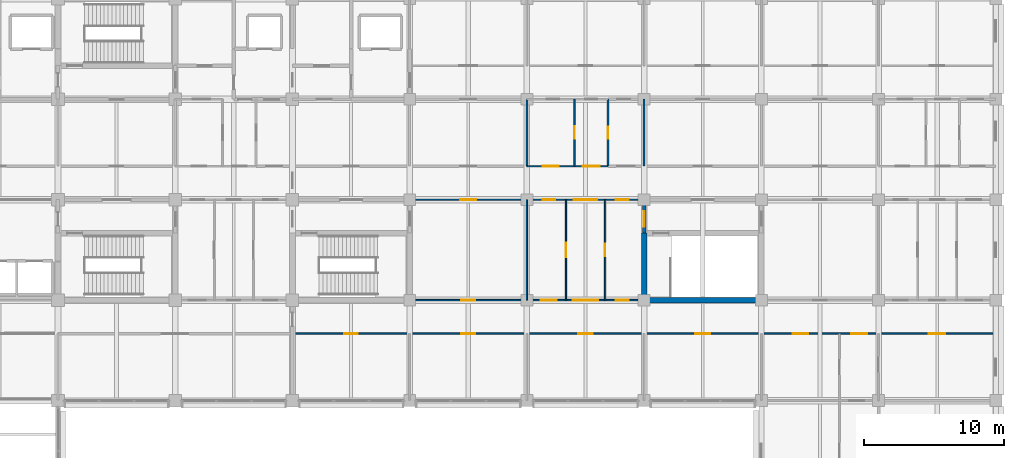
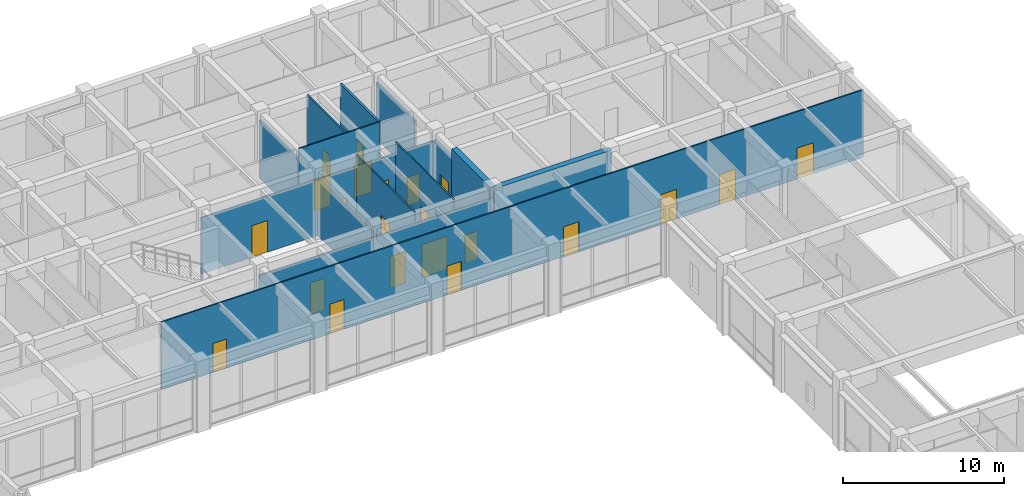
# One storey, part 47 of 58: 22 doors, 14 walls, 22 openings.
"""IFC4 building model written with IfcOpenShell, lengths in metres."""

from ifc_helpers import new_model, si_unit, direction, frame, frame_2d, origin, place, context, subcontext, project, spatial, rectangle, extrude, material, layer, layer_set, type_object, element, fill, save


model = new_model("IFC4")

# Units and contexts
model_context = context("Model", 3, precision=1e-05, world=origin(), true_north=direction((0.0, 1.0)))
body_context = subcontext(model_context, "Body", "Model", "MODEL_VIEW")
ifc_project = project(units=[si_unit("LENGTHUNIT", "METRE"), si_unit("AREAUNIT", "SQUARE_METRE"), si_unit("VOLUMEUNIT", "CUBIC_METRE"), si_unit("PLANEANGLEUNIT", "RADIAN"), si_unit("MASSUNIT", "GRAM", prefix="KILO")], contexts=[model_context])

# Site, building, storey
site_placement = place(None, origin())
site = spatial("IfcSite", under=ifc_project, at=site_placement, CompositionType="ELEMENT")
building_placement = place(site_placement, origin())
building = spatial("IfcBuilding", under=site, at=building_placement, Name="Chengyuan Square Courthouse", CompositionType="ELEMENT")
storey_placement = place(building_placement, frame((0.0, 0.0, 16.199951171875)))
storey = spatial("IfcBuildingStorey", under=building, at=storey_placement, Name="L04", CompositionType="ELEMENT", Elevation=16.199951171875)

# Wall, opening, door
ifc_material_1 = material(Name="Concrete C40", Category="concrete")
ifc_layer_1 = layer(ifc_material_1, 0.25)
ifc_layer_set_1 = layer_set([ifc_layer_1], Name="Concrete C40")
wall_type_1 = type_object("IfcWallType", Name="WL-FW1", PredefinedType="STANDARD", material=ifc_layer_set_1)
wall_1_placement = place(storey_placement, frame((142.800048828125, 91.199951171875, 0.0), z_axis=(0.0, 0.0, 1.0), x_axis=(0.0, 1.0, 0.0)))
wall_1 = element("IfcWall", 1, at=wall_1_placement, inside=storey, type_object=wall_type_1, Name="Interior Wall WL-L04-I2077", PredefinedType="STANDARD", context=body_context, shape_type="SweptSolid", body=[
    extrude(rectangle(XDim=2.400146484375, YDim=0.25, at=frame_2d((1.2001953125, 0.0))), origin(), (0.0, 0.0, 1.0), 4.300048828125),
])
opening_1_placement = place(wall_1_placement, frame((0.4775390625, 0.0, 0.0)))
opening_1 = element("IfcOpeningElement", 2, at=opening_1_placement, cuts=wall_1, Name="Opening DR-1661", PredefinedType="OPENING", context=body_context, shape_type="SweptSolid", body=[
    extrude(rectangle(XDim=1.10009765625, YDim=2.199951171875, at=frame_2d((0.550048828125, 1.10009765625))), frame((0.0, 0.136962890625, 0.0), z_axis=(0.0, -1.0, 0.0), x_axis=(1.0, 0.0, 0.0)), (0.0, 0.0, 1.0), 0.27392578125),
])
ifc_material_2 = material(Name="Steel Q235B Fire Door", Category="steel")
door_type_1 = type_object("IfcDoorType", Name="DT-10", OperationType="NOTDEFINED", PredefinedType="DOOR", material=ifc_material_2)
door_1_placement = place(opening_1_placement, origin())
door_1 = element("IfcDoor", 3, at=door_1_placement, inside=storey, type_object=door_type_1, Name="Interior Door DR-1661", OperationType="SINGLE_SWING_LEFT", OverallHeight=2.199951171875, OverallWidth=1.10009765625, PredefinedType="DOOR", context=body_context, shape_type="SweptSolid", body=[
    extrude(rectangle(XDim=1.10009765625, YDim=2.199951171875, at=frame_2d((0.550048828125, 1.10009765625))), frame((0.0, 0.02490234375, 0.0), z_axis=(0.0, -1.0, 0.0), x_axis=(1.0, 0.0, 0.0)), (0.0, 0.0, 1.0), 0.050048828125),
])
fill(opening_1, door_1)

# Wall
ifc_material_3 = material(Name="Deliberation Room Sound-Insulated Partition")
ifc_layer_2 = layer(ifc_material_3, 0.14990234375)
ifc_layer_set_2 = layer_set([ifc_layer_2], Name="Deliberation Room Sound-Insulated Partition")
wall_type_2 = type_object("IfcWallType", Name="WL-PT3", PredefinedType="STANDARD", material=ifc_layer_set_2)
wall_2_placement = place(storey_placement, frame((134.39990234375, 96.0, 0.0), z_axis=(0.0, 0.0, 1.0), x_axis=(0.0, 1.0, 0.0)))
element("IfcWall", 4, at=wall_2_placement, inside=storey, type_object=wall_type_2, Name="Interior Wall WL-L04-I2069", PredefinedType="STANDARD", context=body_context, shape_type="SweptSolid", body=[
    extrude(rectangle(XDim=4.800048828125, YDim=0.14990234375, at=frame_2d((2.39990234375, 0.0))), origin(), (0.0, 0.0, 1.0), 4.3701171875),
])

# Wall, opening, door
wall_3_placement = place(storey_placement, frame((140.199951171875, 96.0, 0.0), z_axis=(0.0, 0.0, 1.0), x_axis=(0.0, 1.0, 0.0)))
wall_3 = element("IfcWall", 5, at=wall_3_placement, inside=storey, type_object=wall_type_2, Name="Interior Wall WL-L04-I2074", PredefinedType="STANDARD", context=body_context, shape_type="SweptSolid", body=[
    extrude(rectangle(XDim=4.800048828125, YDim=0.14990234375, at=frame_2d((2.39990234375, 0.0))), origin(), (0.0, 0.0, 1.0), 5.1201171875),
])
opening_2_placement = place(wall_3_placement, frame((1.969970703125, 0.0, 0.0)))
opening_2 = element("IfcOpeningElement", 6, at=opening_2_placement, cuts=wall_3, Name="Opening DR-1816", PredefinedType="OPENING", context=body_context, shape_type="SweptSolid", body=[
    extrude(rectangle(XDim=0.860107421875, YDim=2.10009765625, at=frame_2d((0.43017578125, 1.050048828125))), frame((0.0, 0.0869140625, 0.0), z_axis=(0.0, -1.0, 0.0), x_axis=(1.0, 0.0, 0.0)), (0.0, 0.0, 1.0), 0.173828125),
])
ifc_material_4 = material(Name="Acoustic Solid-Core Timber Door", Category="wood")
door_type_2 = type_object("IfcDoorType", Name="DT-28", OperationType="NOTDEFINED", PredefinedType="DOOR", material=ifc_material_4)
door_2_placement = place(opening_2_placement, origin())
door_2 = element("IfcDoor", 7, at=door_2_placement, inside=storey, type_object=door_type_2, Name="Interior Door DR-1816", OperationType="SINGLE_SWING_LEFT", OverallHeight=2.10009765625, OverallWidth=0.860107421875, PredefinedType="DOOR", context=body_context, shape_type="SweptSolid", body=[
    extrude(rectangle(XDim=0.860107421875, YDim=2.10009765625, at=frame_2d((0.43017578125, 1.050048828125))), frame((0.0, 0.02490234375, 0.0), z_axis=(0.0, -1.0, 0.0), x_axis=(1.0, 0.0, 0.0)), (0.0, 0.0, 1.0), 0.050048828125),
])
fill(opening_2, door_2)

# Wall
wall_4_placement = place(storey_placement, frame((142.800048828125, 96.0, 0.0), z_axis=(0.0, 0.0, 1.0), x_axis=(0.0, 1.0, 0.0)))
element("IfcWall", 8, at=wall_4_placement, inside=storey, type_object=wall_type_2, Name="Interior Wall WL-L04-I2078", PredefinedType="STANDARD", context=body_context, shape_type="SweptSolid", body=[
    extrude(rectangle(XDim=4.800048828125, YDim=0.14990234375, at=frame_2d((2.39990234375, 0.0))), origin(), (0.0, 0.0, 1.0), 4.300048828125),
])

# Wall, openings, doors
ifc_material_5 = material(Name="Gypsum Plasterboard Acoustic Stud Partition")
ifc_layer_3 = layer(ifc_material_5, 0.10009765625)
ifc_layer_set_3 = layer_set([ifc_layer_3], Name="Gypsum Plasterboard Acoustic Stud Partition")
wall_type_3 = type_object("IfcWallType", Name="WL-PT6", PredefinedType="STANDARD", material=ifc_layer_set_3)
wall_5_placement = place(storey_placement, frame((117.60009765625, 84.0, 0.0), z_axis=(0.0, 0.0, 1.0), x_axis=(1.0, 0.0, 0.0)))
wall_5 = element("IfcWall", 9, at=wall_5_placement, inside=storey, type_object=wall_type_3, Name="Interior Wall WL-L04-I1777", PredefinedType="STANDARD", context=body_context, shape_type="SweptSolid", body=[
    extrude(rectangle(XDim=50.35986328125, YDim=0.10009765625, at=frame_2d((25.179931640625, 0.0))), origin(), (0.0, 0.0, 1.0), 5.1201171875),
])
opening_3_placement = place(wall_5_placement, frame((3.719970703125, 0.0, 0.0)))
opening_3 = element("IfcOpeningElement", 10, at=opening_3_placement, cuts=wall_5, Name="Opening DR-1886", PredefinedType="OPENING", context=body_context, shape_type="SweptSolid", body=[
    extrude(rectangle(XDim=0.9599609375, YDim=2.199951171875, at=frame_2d((0.47998046875, 1.10009765625))), frame((0.0, 0.06201171875, 0.0), z_axis=(0.0, -1.0, 0.0), x_axis=(1.0, 0.0, 0.0)), (0.0, 0.0, 1.0), 0.1240234375),
])
opening_4_placement = place(wall_5_placement, frame((12.10009765625, 0.0, 0.0)))
opening_4 = element("IfcOpeningElement", 11, at=opening_4_placement, cuts=wall_5, Name="Opening DR-1887", PredefinedType="OPENING", context=body_context, shape_type="SweptSolid", body=[
    extrude(rectangle(XDim=1.0, YDim=2.25, at=frame_2d((0.5, 1.125))), frame((0.0, 0.06201171875, 0.0), z_axis=(0.0, -1.0, 0.0), x_axis=(1.0, 0.0, 0.0)), (0.0, 0.0, 1.0), 0.1240234375),
])
opening_5_placement = place(wall_5_placement, frame((20.47998046875, 0.0, 0.0)))
opening_5 = element("IfcOpeningElement", 12, at=opening_5_placement, cuts=wall_5, Name="Opening DR-1888", PredefinedType="OPENING", context=body_context, shape_type="SweptSolid", body=[
    extrude(rectangle(XDim=1.0400390625, YDim=2.199951171875, at=frame_2d((0.52001953125, 1.10009765625))), frame((0.0, 0.06201171875, 0.0), z_axis=(0.0, -1.0, 0.0), x_axis=(1.0, 0.0, 0.0)), (0.0, 0.0, 1.0), 0.1240234375),
])
opening_6_placement = place(wall_5_placement, frame((28.860107421875, 0.0, 0.0)))
opening_6 = element("IfcOpeningElement", 13, at=opening_6_placement, cuts=wall_5, Name="Opening DR-1889", PredefinedType="OPENING", context=body_context, shape_type="SweptSolid", body=[
    extrude(rectangle(XDim=1.080078125, YDim=2.25, at=frame_2d((0.5400390625, 1.125))), frame((0.0, 0.06201171875, 0.0), z_axis=(0.0, -1.0, 0.0), x_axis=(1.0, 0.0, 0.0)), (0.0, 0.0, 1.0), 0.1240234375),
])
opening_7_placement = place(wall_5_placement, frame((35.840087890625, 0.0, 0.0)))
opening_7 = element("IfcOpeningElement", 14, at=opening_7_placement, cuts=wall_5, Name="Opening DR-1890", PredefinedType="OPENING", context=body_context, shape_type="SweptSolid", body=[
    extrude(rectangle(XDim=1.1201171875, YDim=2.25, at=frame_2d((0.56005859375, 1.125))), frame((0.0, 0.06201171875, 0.0), z_axis=(0.0, -1.0, 0.0), x_axis=(1.0, 0.0, 0.0)), (0.0, 0.0, 1.0), 0.1240234375),
])
opening_8_placement = place(wall_5_placement, frame((40.02001953125, 0.0, 0.0)))
opening_8 = element("IfcOpeningElement", 15, at=opening_8_placement, cuts=wall_5, Name="Opening DR-1891", PredefinedType="OPENING", context=body_context, shape_type="SweptSolid", body=[
    extrude(rectangle(XDim=1.159912109375, YDim=2.300048828125, at=frame_2d((0.580078125, 1.14990234375))), frame((0.0, 0.06201171875, 0.0), z_axis=(0.0, -1.0, 0.0), x_axis=(1.0, 0.0, 0.0)), (0.0, 0.0, 1.0), 0.1240234375),
])
opening_9_placement = place(wall_5_placement, frame((45.580078125, 0.0, 0.0)))
opening_9 = element("IfcOpeningElement", 16, at=opening_9_placement, cuts=wall_5, Name="Opening DR-1892", PredefinedType="OPENING", context=body_context, shape_type="SweptSolid", body=[
    extrude(rectangle(XDim=1.199951171875, YDim=2.35009765625, at=frame_2d((0.60009765625, 1.175048828125))), frame((0.0, 0.06201171875, 0.0), z_axis=(0.0, -1.0, 0.0), x_axis=(1.0, 0.0, 0.0)), (0.0, 0.0, 1.0), 0.1240234375),
])
door_type_3 = type_object("IfcDoorType", Name="DT-30", OperationType="NOTDEFINED", PredefinedType="DOOR", material=ifc_material_4)
door_3_placement = place(opening_3_placement, origin())
door_3 = element("IfcDoor", 17, at=door_3_placement, inside=storey, type_object=door_type_3, Name="Interior Door DR-1886", OperationType="SINGLE_SWING_LEFT", OverallHeight=2.199951171875, OverallWidth=0.9599609375, PredefinedType="DOOR", context=body_context, shape_type="SweptSolid", body=[
    extrude(rectangle(XDim=0.9599609375, YDim=2.199951171875, at=frame_2d((0.47998046875, 1.10009765625))), frame((0.0, 0.02490234375, 0.0), z_axis=(0.0, -1.0, 0.0), x_axis=(1.0, 0.0, 0.0)), (0.0, 0.0, 1.0), 0.050048828125),
])
fill(opening_3, door_3)
door_type_4 = type_object("IfcDoorType", Name="DT-31", OperationType="NOTDEFINED", PredefinedType="DOOR", material=ifc_material_4)
door_4_placement = place(opening_4_placement, origin())
door_4 = element("IfcDoor", 18, at=door_4_placement, inside=storey, type_object=door_type_4, Name="Interior Door DR-1887", OperationType="SINGLE_SWING_RIGHT", OverallHeight=2.25, OverallWidth=1.0, PredefinedType="DOOR", context=body_context, shape_type="SweptSolid", body=[
    extrude(rectangle(XDim=1.0, YDim=2.25, at=frame_2d((0.5, 1.125))), frame((0.0, 0.02490234375, 0.0), z_axis=(0.0, -1.0, 0.0), x_axis=(1.0, 0.0, 0.0)), (0.0, 0.0, 1.0), 0.050048828125),
])
fill(opening_4, door_4)
door_type_5 = type_object("IfcDoorType", Name="DT-32", OperationType="NOTDEFINED", PredefinedType="DOOR", material=ifc_material_4)
door_5_placement = place(opening_5_placement, origin())
door_5 = element("IfcDoor", 19, at=door_5_placement, inside=storey, type_object=door_type_5, Name="Interior Door DR-1888", OperationType="SINGLE_SWING_LEFT", OverallHeight=2.199951171875, OverallWidth=1.0400390625, PredefinedType="DOOR", context=body_context, shape_type="SweptSolid", body=[
    extrude(rectangle(XDim=1.0400390625, YDim=2.199951171875, at=frame_2d((0.52001953125, 1.10009765625))), frame((0.0, 0.02490234375, 0.0), z_axis=(0.0, -1.0, 0.0), x_axis=(1.0, 0.0, 0.0)), (0.0, 0.0, 1.0), 0.050048828125),
])
fill(opening_5, door_5)
door_type_6 = type_object("IfcDoorType", Name="DT-33", OperationType="NOTDEFINED", PredefinedType="DOOR", material=ifc_material_4)
door_6_placement = place(opening_6_placement, origin())
door_6 = element("IfcDoor", 20, at=door_6_placement, inside=storey, type_object=door_type_6, Name="Interior Door DR-1889", OperationType="SINGLE_SWING_RIGHT", OverallHeight=2.25, OverallWidth=1.080078125, PredefinedType="DOOR", context=body_context, shape_type="SweptSolid", body=[
    extrude(rectangle(XDim=1.080078125, YDim=2.25, at=frame_2d((0.5400390625, 1.125))), frame((0.0, 0.02490234375, 0.0), z_axis=(0.0, -1.0, 0.0), x_axis=(1.0, 0.0, 0.0)), (0.0, 0.0, 1.0), 0.050048828125),
])
fill(opening_6, door_6)
door_type_7 = type_object("IfcDoorType", Name="DT-34", OperationType="NOTDEFINED", PredefinedType="DOOR", material=ifc_material_4)
door_7_placement = place(opening_7_placement, origin())
door_7 = element("IfcDoor", 21, at=door_7_placement, inside=storey, type_object=door_type_7, Name="Interior Door DR-1890", OperationType="SINGLE_SWING_LEFT", OverallHeight=2.25, OverallWidth=1.1201171875, PredefinedType="DOOR", context=body_context, shape_type="SweptSolid", body=[
    extrude(rectangle(XDim=1.1201171875, YDim=2.25, at=frame_2d((0.56005859375, 1.125))), frame((0.0, 0.02490234375, 0.0), z_axis=(0.0, -1.0, 0.0), x_axis=(1.0, 0.0, 0.0)), (0.0, 0.0, 1.0), 0.050048828125),
])
fill(opening_7, door_7)
door_type_8 = type_object("IfcDoorType", Name="DT-35", OperationType="NOTDEFINED", PredefinedType="DOOR", material=ifc_material_4)
door_8_placement = place(opening_8_placement, origin())
door_8 = element("IfcDoor", 22, at=door_8_placement, inside=storey, type_object=door_type_8, Name="Interior Door DR-1891", OperationType="SINGLE_SWING_RIGHT", OverallHeight=2.300048828125, OverallWidth=1.159912109375, PredefinedType="DOOR", context=body_context, shape_type="SweptSolid", body=[
    extrude(rectangle(XDim=1.159912109375, YDim=2.300048828125, at=frame_2d((0.580078125, 1.14990234375))), frame((0.0, 0.02490234375, 0.0), z_axis=(0.0, -1.0, 0.0), x_axis=(1.0, 0.0, 0.0)), (0.0, 0.0, 1.0), 0.050048828125),
])
fill(opening_8, door_8)
door_type_9 = type_object("IfcDoorType", Name="DT-36", OperationType="NOTDEFINED", PredefinedType="DOOR", material=ifc_material_4)
door_9_placement = place(opening_9_placement, origin())
door_9 = element("IfcDoor", 23, at=door_9_placement, inside=storey, type_object=door_type_9, Name="Interior Door DR-1892", OperationType="SINGLE_SWING_LEFT", OverallHeight=2.35009765625, OverallWidth=1.199951171875, PredefinedType="DOOR", context=body_context, shape_type="SweptSolid", body=[
    extrude(rectangle(XDim=1.199951171875, YDim=2.35009765625, at=frame_2d((0.60009765625, 1.175048828125))), frame((0.0, 0.02490234375, 0.0), z_axis=(0.0, -1.0, 0.0), x_axis=(1.0, 0.0, 0.0)), (0.0, 0.0, 1.0), 0.050048828125),
])
fill(opening_9, door_9)

wall_6_placement = place(storey_placement, frame((126.0, 86.39990234375, 0.0), z_axis=(0.0, 0.0, 1.0), x_axis=(1.0, 0.0, 0.0)))
wall_6 = element("IfcWall", 24, at=wall_6_placement, inside=storey, type_object=wall_type_3, Name="Interior Wall WL-L04-I1791", PredefinedType="STANDARD", context=body_context, shape_type="SweptSolid", body=[
    extrude(rectangle(XDim=16.800048828125, YDim=0.10009765625, at=frame_2d((8.39990234375, 0.0))), origin(), (0.0, 0.0, 1.0), 4.27001953125),
])
opening_10_placement = place(wall_6_placement, frame((3.68994140625, 0.0, 0.0)))
opening_10 = element("IfcOpeningElement", 25, at=opening_10_placement, cuts=wall_6, Name="Opening DR-1846", PredefinedType="OPENING", context=body_context, shape_type="SweptSolid", body=[
    extrude(rectangle(XDim=1.02001953125, YDim=2.39990234375, at=frame_2d((0.510009765625, 1.199951171875))), frame((0.0, 0.06201171875, 0.0), z_axis=(0.0, -1.0, 0.0), x_axis=(1.0, 0.0, 0.0)), (0.0, 0.0, 1.0), 0.1240234375),
])
opening_11_placement = place(wall_6_placement, frame((9.402587890625, 0.0, 0.0)))
opening_11 = element("IfcOpeningElement", 26, at=opening_11_placement, cuts=wall_6, Name="Opening DR-1848", PredefinedType="OPENING", context=body_context, shape_type="SweptSolid", body=[
    extrude(rectangle(XDim=1.139892578125, YDim=2.39990234375, at=frame_2d((0.56982421875, 1.199951171875))), frame((0.0, 0.06201171875, 0.0), z_axis=(0.0, -1.0, 0.0), x_axis=(1.0, 0.0, 0.0)), (0.0, 0.0, 1.0), 0.1240234375),
])
opening_12_placement = place(wall_6_placement, frame((11.699951171875, 0.0, 0.0)))
opening_12 = element("IfcOpeningElement", 27, at=opening_12_placement, cuts=wall_6, Name="Opening DR-1850", PredefinedType="OPENING", context=body_context, shape_type="SweptSolid", body=[
    extrude(rectangle(XDim=1.800048828125, YDim=2.5, at=frame_2d((0.89990234375, 1.25))), frame((0.0, 0.06201171875, 0.0), z_axis=(0.0, -1.0, 0.0), x_axis=(1.0, 0.0, 0.0)), (0.0, 0.0, 1.0), 0.1240234375),
])
opening_13_placement = place(wall_6_placement, frame((14.767578125, 0.0, 0.0)))
opening_13 = element("IfcOpeningElement", 28, at=opening_13_placement, cuts=wall_6, Name="Opening DR-1851", PredefinedType="OPENING", context=body_context, shape_type="SweptSolid", body=[
    extrude(rectangle(XDim=0.919921875, YDim=2.14990234375, at=frame_2d((0.4599609375, 1.074951171875))), frame((0.0, 0.06201171875, 0.0), z_axis=(0.0, -1.0, 0.0), x_axis=(1.0, 0.0, 0.0)), (0.0, 0.0, 1.0), 0.1240234375),
])
ifc_material_6 = material(Name="Acoustic Larch Veneer Double Door")
door_type_10 = type_object("IfcDoorType", Name="DT-21", OperationType="DOUBLE_DOOR_SINGLE_SWING", PredefinedType="DOOR", material=ifc_material_6)
door_10_placement = place(opening_12_placement, frame((1.800048828125, 0.0, 0.0), z_axis=(0.0, 0.0, 1.0), x_axis=(-1.0, 0.0, 0.0)))
door_10 = element("IfcDoor", 29, at=door_10_placement, inside=storey, type_object=door_type_10, Name="Interior Door DR-1850", OperationType="DOUBLE_DOOR_SINGLE_SWING", OverallHeight=2.5, OverallWidth=1.800048828125, PredefinedType="DOOR", context=body_context, shape_type="SweptSolid", body=[
    extrude(rectangle(XDim=1.800048828125, YDim=2.5, at=frame_2d((0.89990234375, 1.25))), frame((0.0, 0.02490234375, 0.0), z_axis=(0.0, -1.0, 0.0), x_axis=(1.0, 0.0, 0.0)), (0.0, 0.0, 1.0), 0.050048828125),
])
fill(opening_12, door_10)
door_type_11 = type_object("IfcDoorType", Name="DT-29", OperationType="NOTDEFINED", PredefinedType="DOOR", material=ifc_material_4)
door_11_placement = place(opening_13_placement, origin())
door_11 = element("IfcDoor", 30, at=door_11_placement, inside=storey, type_object=door_type_11, Name="Interior Door DR-1851", OperationType="SINGLE_SWING_LEFT", OverallHeight=2.14990234375, OverallWidth=0.919921875, PredefinedType="DOOR", context=body_context, shape_type="SweptSolid", body=[
    extrude(rectangle(XDim=0.919921875, YDim=2.14990234375, at=frame_2d((0.4599609375, 1.074951171875))), frame((0.0, 0.02490234375, 0.0), z_axis=(0.0, -1.0, 0.0), x_axis=(1.0, 0.0, 0.0)), (0.0, 0.0, 1.0), 0.050048828125),
])
fill(opening_13, door_11)
door_type_12 = type_object("IfcDoorType", Name="DT-41", OperationType="NOTDEFINED", PredefinedType="DOOR", material=ifc_material_4)
door_12_placement = place(opening_10_placement, origin())
door_12 = element("IfcDoor", 31, at=door_12_placement, inside=storey, type_object=door_type_12, Name="Interior Door DR-1846", OperationType="SINGLE_SWING_LEFT", OverallHeight=2.39990234375, OverallWidth=1.02001953125, PredefinedType="DOOR", context=body_context, shape_type="SweptSolid", body=[
    extrude(rectangle(XDim=1.02001953125, YDim=2.39990234375, at=frame_2d((0.510009765625, 1.199951171875))), frame((0.0, 0.02490234375, 0.0), z_axis=(0.0, -1.0, 0.0), x_axis=(1.0, 0.0, 0.0)), (0.0, 0.0, 1.0), 0.050048828125),
])
fill(opening_10, door_12)
door_type_13 = type_object("IfcDoorType", Name="DT-43", OperationType="NOTDEFINED", PredefinedType="DOOR", material=ifc_material_4)
door_13_placement = place(opening_11_placement, origin())
door_13 = element("IfcDoor", 32, at=door_13_placement, inside=storey, type_object=door_type_13, Name="Interior Door DR-1848", OperationType="SINGLE_SWING_LEFT", OverallHeight=2.39990234375, OverallWidth=1.139892578125, PredefinedType="DOOR", context=body_context, shape_type="SweptSolid", body=[
    extrude(rectangle(XDim=1.139892578125, YDim=2.39990234375, at=frame_2d((0.56982421875, 1.199951171875))), frame((0.0, 0.02490234375, 0.0), z_axis=(0.0, -1.0, 0.0), x_axis=(1.0, 0.0, 0.0)), (0.0, 0.0, 1.0), 0.050048828125),
])
fill(opening_11, door_13)

wall_7_placement = place(storey_placement, frame((126.0, 93.60009765625, 0.0), z_axis=(0.0, 0.0, 1.0), x_axis=(1.0, 0.0, 0.0)))
wall_7 = element("IfcWall", 33, at=wall_7_placement, inside=storey, type_object=wall_type_3, Name="Interior Wall WL-L04-I1819", PredefinedType="STANDARD", context=body_context, shape_type="SweptSolid", body=[
    extrude(rectangle(XDim=16.800048828125, YDim=0.10009765625, at=frame_2d((8.39990234375, 0.0))), origin(), (0.0, 0.0, 1.0), 4.27001953125),
])
opening_14_placement = place(wall_7_placement, frame((3.6298828125, 0.0, 0.0)))
opening_14 = element("IfcOpeningElement", 34, at=opening_14_placement, cuts=wall_7, Name="Opening DR-1797", PredefinedType="OPENING", context=body_context, shape_type="SweptSolid", body=[
    extrude(rectangle(XDim=1.139892578125, YDim=2.39990234375, at=frame_2d((0.56982421875, 1.199951171875))), frame((0.0, 0.06201171875, 0.0), z_axis=(0.0, -1.0, 0.0), x_axis=(1.0, 0.0, 0.0)), (0.0, 0.0, 1.0), 0.1240234375),
])
opening_15_placement = place(wall_7_placement, frame((9.5224609375, 0.0, 0.0)))
opening_15 = element("IfcOpeningElement", 35, at=opening_15_placement, cuts=wall_7, Name="Opening DR-1798", PredefinedType="OPENING", context=body_context, shape_type="SweptSolid", body=[
    extrude(rectangle(XDim=0.89990234375, YDim=2.14990234375, at=frame_2d((0.449951171875, 1.074951171875))), frame((0.0, 0.06201171875, 0.0), z_axis=(0.0, -1.0, 0.0), x_axis=(1.0, 0.0, 0.0)), (0.0, 0.0, 1.0), 0.1240234375),
])
opening_16_placement = place(wall_7_placement, frame((11.75, 0.0, 0.0)))
opening_16 = element("IfcOpeningElement", 36, at=opening_16_placement, cuts=wall_7, Name="Opening DR-1799", PredefinedType="OPENING", context=body_context, shape_type="SweptSolid", body=[
    extrude(rectangle(XDim=1.699951171875, YDim=2.449951171875, at=frame_2d((0.85009765625, 1.22509765625))), frame((0.0, 0.06201171875, 0.0), z_axis=(0.0, -1.0, 0.0), x_axis=(1.0, 0.0, 0.0)), (0.0, 0.0, 1.0), 0.1240234375),
])
opening_17_placement = place(wall_7_placement, frame((14.767578125, 0.0, 0.0)))
opening_17 = element("IfcOpeningElement", 37, at=opening_17_placement, cuts=wall_7, Name="Opening DR-1800", PredefinedType="OPENING", context=body_context, shape_type="SweptSolid", body=[
    extrude(rectangle(XDim=0.919921875, YDim=2.14990234375, at=frame_2d((0.4599609375, 1.074951171875))), frame((0.0, 0.06201171875, 0.0), z_axis=(0.0, -1.0, 0.0), x_axis=(1.0, 0.0, 0.0)), (0.0, 0.0, 1.0), 0.1240234375),
])
door_type_14 = type_object("IfcDoorType", Name="DT-24", OperationType="DOUBLE_DOOR_SINGLE_SWING", PredefinedType="DOOR", material=ifc_material_6)
door_14_placement = place(opening_16_placement, frame((1.699951171875, 0.0, 0.0), z_axis=(0.0, 0.0, 1.0), x_axis=(-1.0, 0.0, 0.0)))
door_14 = element("IfcDoor", 38, at=door_14_placement, inside=storey, type_object=door_type_14, Name="Interior Door DR-1799", OperationType="DOUBLE_DOOR_SINGLE_SWING", OverallHeight=2.449951171875, OverallWidth=1.699951171875, PredefinedType="DOOR", context=body_context, shape_type="SweptSolid", body=[
    extrude(rectangle(XDim=1.699951171875, YDim=2.449951171875, at=frame_2d((0.85009765625, 1.22509765625))), frame((0.0, 0.02490234375, 0.0), z_axis=(0.0, -1.0, 0.0), x_axis=(1.0, 0.0, 0.0)), (0.0, 0.0, 1.0), 0.050048828125),
])
fill(opening_16, door_14)
door_type_15 = type_object("IfcDoorType", Name="DT-27", OperationType="NOTDEFINED", PredefinedType="DOOR", material=ifc_material_4)
door_15_placement = place(opening_15_placement, origin())
door_15 = element("IfcDoor", 39, at=door_15_placement, inside=storey, type_object=door_type_15, Name="Interior Door DR-1798", OperationType="SINGLE_SWING_RIGHT", OverallHeight=2.14990234375, OverallWidth=0.89990234375, PredefinedType="DOOR", context=body_context, shape_type="SweptSolid", body=[
    extrude(rectangle(XDim=0.89990234375, YDim=2.14990234375, at=frame_2d((0.449951171875, 1.074951171875))), frame((0.0, 0.02490234375, 0.0), z_axis=(0.0, -1.0, 0.0), x_axis=(1.0, 0.0, 0.0)), (0.0, 0.0, 1.0), 0.050048828125),
])
fill(opening_15, door_15)
door_16_placement = place(opening_17_placement, origin())
door_16 = element("IfcDoor", 40, at=door_16_placement, inside=storey, type_object=door_type_11, Name="Interior Door DR-1800", OperationType="SINGLE_SWING_LEFT", OverallHeight=2.14990234375, OverallWidth=0.919921875, PredefinedType="DOOR", context=body_context, shape_type="SweptSolid", body=[
    extrude(rectangle(XDim=0.919921875, YDim=2.14990234375, at=frame_2d((0.4599609375, 1.074951171875))), frame((0.0, 0.02490234375, 0.0), z_axis=(0.0, -1.0, 0.0), x_axis=(1.0, 0.0, 0.0)), (0.0, 0.0, 1.0), 0.050048828125),
])
fill(opening_17, door_16)
door_17_placement = place(opening_14_placement, origin())
door_17 = element("IfcDoor", 41, at=door_17_placement, inside=storey, type_object=door_type_13, Name="Interior Door DR-1797", OperationType="SINGLE_SWING_LEFT", OverallHeight=2.39990234375, OverallWidth=1.139892578125, PredefinedType="DOOR", context=body_context, shape_type="SweptSolid", body=[
    extrude(rectangle(XDim=1.139892578125, YDim=2.39990234375, at=frame_2d((0.56982421875, 1.199951171875))), frame((0.0, 0.02490234375, 0.0), z_axis=(0.0, -1.0, 0.0), x_axis=(1.0, 0.0, 0.0)), (0.0, 0.0, 1.0), 0.050048828125),
])
fill(opening_14, door_17)

wall_8_placement = place(storey_placement, frame((134.39990234375, 96.0, 0.0), z_axis=(0.0, 0.0, 1.0), x_axis=(1.0, 0.0, 0.0)))
wall_8 = element("IfcWall", 42, at=wall_8_placement, inside=storey, type_object=wall_type_3, Name="Interior Wall WL-L04-I1832", PredefinedType="STANDARD", context=body_context, shape_type="SweptSolid", body=[
    extrude(rectangle(XDim=5.800048828125, YDim=0.10009765625, at=frame_2d((2.89990234375, 0.0))), origin(), (0.0, 0.0, 1.0), 5.1201171875),
])
opening_18_placement = place(wall_8_placement, frame((1.1201171875, 0.0, 0.0)))
opening_18 = element("IfcOpeningElement", 43, at=opening_18_placement, cuts=wall_8, Name="Opening DR-1789", PredefinedType="OPENING", context=body_context, shape_type="SweptSolid", body=[
    extrude(rectangle(XDim=1.159912109375, YDim=2.300048828125, at=frame_2d((0.580078125, 1.14990234375))), frame((0.0, 0.06201171875, 0.0), z_axis=(0.0, -1.0, 0.0), x_axis=(1.0, 0.0, 0.0)), (0.0, 0.0, 1.0), 0.1240234375),
])
opening_19_placement = place(wall_8_placement, frame((4.0, 0.0, 0.0)))
opening_19 = element("IfcOpeningElement", 44, at=opening_19_placement, cuts=wall_8, Name="Opening DR-1790", PredefinedType="OPENING", context=body_context, shape_type="SweptSolid", body=[
    extrude(rectangle(XDim=1.199951171875, YDim=2.35009765625, at=frame_2d((0.60009765625, 1.175048828125))), frame((0.0, 0.06201171875, 0.0), z_axis=(0.0, -1.0, 0.0), x_axis=(1.0, 0.0, 0.0)), (0.0, 0.0, 1.0), 0.1240234375),
])
door_18_placement = place(opening_18_placement, origin())
door_18 = element("IfcDoor", 45, at=door_18_placement, inside=storey, type_object=door_type_8, Name="Interior Door DR-1789", OperationType="SINGLE_SWING_LEFT", OverallHeight=2.300048828125, OverallWidth=1.159912109375, PredefinedType="DOOR", context=body_context, shape_type="SweptSolid", body=[
    extrude(rectangle(XDim=1.159912109375, YDim=2.300048828125, at=frame_2d((0.580078125, 1.14990234375))), frame((0.0, 0.02490234375, 0.0), z_axis=(0.0, -1.0, 0.0), x_axis=(1.0, 0.0, 0.0)), (0.0, 0.0, 1.0), 0.050048828125),
])
fill(opening_18, door_18)
door_19_placement = place(opening_19_placement, origin())
door_19 = element("IfcDoor", 46, at=door_19_placement, inside=storey, type_object=door_type_9, Name="Interior Door DR-1790", OperationType="SINGLE_SWING_RIGHT", OverallHeight=2.35009765625, OverallWidth=1.199951171875, PredefinedType="DOOR", context=body_context, shape_type="SweptSolid", body=[
    extrude(rectangle(XDim=1.199951171875, YDim=2.35009765625, at=frame_2d((0.60009765625, 1.175048828125))), frame((0.0, 0.02490234375, 0.0), z_axis=(0.0, -1.0, 0.0), x_axis=(1.0, 0.0, 0.0)), (0.0, 0.0, 1.0), 0.050048828125),
])
fill(opening_19, door_19)

# Wall
wall_9_placement = place(storey_placement, frame((134.39990234375, 86.39990234375, 0.0), z_axis=(0.0, 0.0, 1.0), x_axis=(0.0, 1.0, 0.0)))
element("IfcWall", 47, at=wall_9_placement, inside=storey, type_object=wall_type_3, Name="Interior Wall WL-L04-I2068", PredefinedType="STANDARD", context=body_context, shape_type="SweptSolid", body=[
    extrude(rectangle(XDim=7.2001953125, YDim=0.10009765625, at=frame_2d((3.60009765625, 0.0))), origin(), (0.0, 0.0, 1.0), 4.3701171875),
])

# Wall, opening, door
wall_10_placement = place(storey_placement, frame((137.199951171875, 86.39990234375, 0.0), z_axis=(0.0, 0.0, 1.0), x_axis=(0.0, 1.0, 0.0)))
wall_10 = element("IfcWall", 48, at=wall_10_placement, inside=storey, type_object=wall_type_3, Name="Interior Wall WL-L04-I2071", PredefinedType="STANDARD", context=body_context, shape_type="SweptSolid", body=[
    extrude(rectangle(XDim=7.2001953125, YDim=0.10009765625, at=frame_2d((3.60009765625, 0.0))), origin(), (0.0, 0.0, 1.0), 5.1201171875),
])
opening_20_placement = place(wall_10_placement, frame((3.070068359375, 0.0, 0.0)))
opening_20 = element("IfcOpeningElement", 49, at=opening_20_placement, cuts=wall_10, Name="Opening DR-1847", PredefinedType="OPENING", context=body_context, shape_type="SweptSolid", body=[
    extrude(rectangle(XDim=1.06005859375, YDim=2.39990234375, at=frame_2d((0.530029296875, 1.199951171875))), frame((0.0, 0.06201171875, 0.0), z_axis=(0.0, -1.0, 0.0), x_axis=(1.0, 0.0, 0.0)), (0.0, 0.0, 1.0), 0.1240234375),
])
door_type_16 = type_object("IfcDoorType", Name="DT-42", OperationType="NOTDEFINED", PredefinedType="DOOR", material=ifc_material_4)
door_20_placement = place(opening_20_placement, origin())
door_20 = element("IfcDoor", 50, at=door_20_placement, inside=storey, type_object=door_type_16, Name="Interior Door DR-1847", OperationType="SINGLE_SWING_RIGHT", OverallHeight=2.39990234375, OverallWidth=1.06005859375, PredefinedType="DOOR", context=body_context, shape_type="SweptSolid", body=[
    extrude(rectangle(XDim=1.06005859375, YDim=2.39990234375, at=frame_2d((0.530029296875, 1.199951171875))), frame((0.0, 0.02490234375, 0.0), z_axis=(0.0, -1.0, 0.0), x_axis=(1.0, 0.0, 0.0)), (0.0, 0.0, 1.0), 0.050048828125),
])
fill(opening_20, door_20)

wall_11_placement = place(storey_placement, frame((137.800048828125, 96.0, 0.0), z_axis=(0.0, 0.0, 1.0), x_axis=(0.0, 1.0, 0.0)))
wall_11 = element("IfcWall", 51, at=wall_11_placement, inside=storey, type_object=wall_type_3, Name="Interior Wall WL-L04-I2072", PredefinedType="STANDARD", context=body_context, shape_type="SweptSolid", body=[
    extrude(rectangle(XDim=4.800048828125, YDim=0.10009765625, at=frame_2d((2.39990234375, 0.0))), origin(), (0.0, 0.0, 1.0), 5.1201171875),
])
opening_21_placement = place(wall_11_placement, frame((1.949951171875, 0.0, 0.0)))
opening_21 = element("IfcOpeningElement", 52, at=opening_21_placement, cuts=wall_11, Name="Opening DR-1815", PredefinedType="OPENING", context=body_context, shape_type="SweptSolid", body=[
    extrude(rectangle(XDim=0.89990234375, YDim=2.14990234375, at=frame_2d((0.449951171875, 1.074951171875))), frame((0.0, 0.06201171875, 0.0), z_axis=(0.0, -1.0, 0.0), x_axis=(1.0, 0.0, 0.0)), (0.0, 0.0, 1.0), 0.1240234375),
])
door_21_placement = place(opening_21_placement, origin())
door_21 = element("IfcDoor", 53, at=door_21_placement, inside=storey, type_object=door_type_15, Name="Interior Door DR-1815", OperationType="SINGLE_SWING_RIGHT", OverallHeight=2.14990234375, OverallWidth=0.89990234375, PredefinedType="DOOR", context=body_context, shape_type="SweptSolid", body=[
    extrude(rectangle(XDim=0.89990234375, YDim=2.14990234375, at=frame_2d((0.449951171875, 1.074951171875))), frame((0.0, 0.02490234375, 0.0), z_axis=(0.0, -1.0, 0.0), x_axis=(1.0, 0.0, 0.0)), (0.0, 0.0, 1.0), 0.050048828125),
])
fill(opening_21, door_21)

wall_12_placement = place(storey_placement, frame((140.0, 86.39990234375, 0.0), z_axis=(0.0, 0.0, 1.0), x_axis=(0.0, 1.0, 0.0)))
wall_12 = element("IfcWall", 54, at=wall_12_placement, inside=storey, type_object=wall_type_3, Name="Interior Wall WL-L04-I2073", PredefinedType="STANDARD", context=body_context, shape_type="SweptSolid", body=[
    extrude(rectangle(XDim=7.2001953125, YDim=0.10009765625, at=frame_2d((3.60009765625, 0.0))), origin(), (0.0, 0.0, 1.0), 5.1201171875),
])
opening_22_placement = place(wall_12_placement, frame((3.14990234375, 0.0, 0.0)))
opening_22 = element("IfcOpeningElement", 55, at=opening_22_placement, cuts=wall_12, Name="Opening DR-1849", PredefinedType="OPENING", context=body_context, shape_type="SweptSolid", body=[
    extrude(rectangle(XDim=0.89990234375, YDim=2.14990234375, at=frame_2d((0.449951171875, 1.074951171875))), frame((0.0, 0.06201171875, 0.0), z_axis=(0.0, -1.0, 0.0), x_axis=(1.0, 0.0, 0.0)), (0.0, 0.0, 1.0), 0.1240234375),
])
door_22_placement = place(opening_22_placement, origin())
door_22 = element("IfcDoor", 56, at=door_22_placement, inside=storey, type_object=door_type_15, Name="Interior Door DR-1849", OperationType="SINGLE_SWING_RIGHT", OverallHeight=2.14990234375, OverallWidth=0.89990234375, PredefinedType="DOOR", context=body_context, shape_type="SweptSolid", body=[
    extrude(rectangle(XDim=0.89990234375, YDim=2.14990234375, at=frame_2d((0.449951171875, 1.074951171875))), frame((0.0, 0.02490234375, 0.0), z_axis=(0.0, -1.0, 0.0), x_axis=(1.0, 0.0, 0.0)), (0.0, 0.0, 1.0), 0.050048828125),
])
fill(opening_22, door_22)

# Walls
ifc_material_7 = material(Name="Concrete C50", Category="concrete")
ifc_layer_4 = layer(ifc_material_7, 0.39990234375)
ifc_layer_set_4 = layer_set([ifc_layer_4], Name="Concrete C50")
wall_type_4 = type_object("IfcWallType", Name="WL-SW1", PredefinedType="SHEAR", material=ifc_layer_set_4)
wall_13_placement = place(storey_placement, frame((142.800048828125, 86.39990234375, 0.0), z_axis=(0.0, 0.0, 1.0), x_axis=(1.0, 0.0, 0.0)))
element("IfcWall", 57, at=wall_13_placement, inside=storey, type_object=wall_type_4, Name="Interior Wall WL-L04-I1792", PredefinedType="SHEAR", context=body_context, shape_type="SweptSolid", body=[
    extrude(rectangle(XDim=8.39990234375, YDim=0.39990234375, at=frame_2d((4.199951171875, 0.0))), origin(), (0.0, 0.0, 1.0), 5.050048828125),
])
wall_14_placement = place(storey_placement, frame((142.800048828125, 86.39990234375, 0.0), z_axis=(0.0, 0.0, 1.0), x_axis=(0.0, 1.0, 0.0)))
element("IfcWall", 58, at=wall_14_placement, inside=storey, type_object=wall_type_4, Name="Interior Wall WL-L04-I2076", PredefinedType="SHEAR", context=body_context, shape_type="SweptSolid", body=[
    extrude(rectangle(XDim=4.800048828125, YDim=0.39990234375, at=frame_2d((2.39990234375, 0.0))), origin(), (0.0, 0.0, 1.0), 5.1201171875),
])

save(model, "model.ifc")
